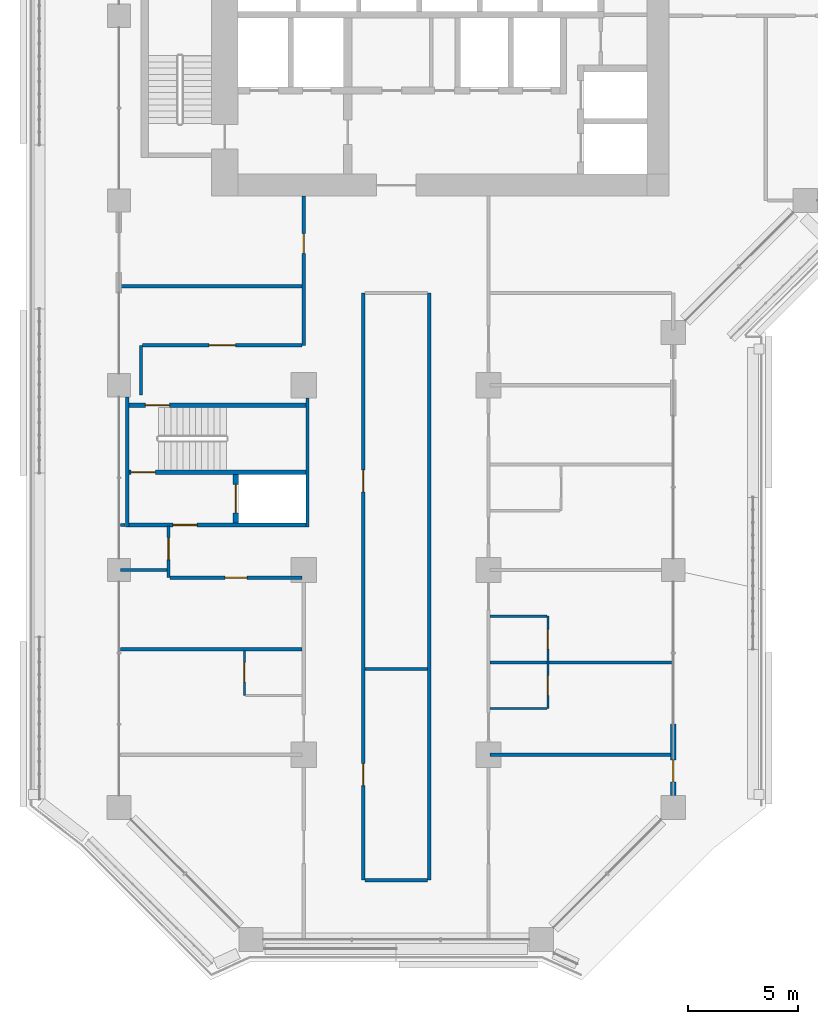
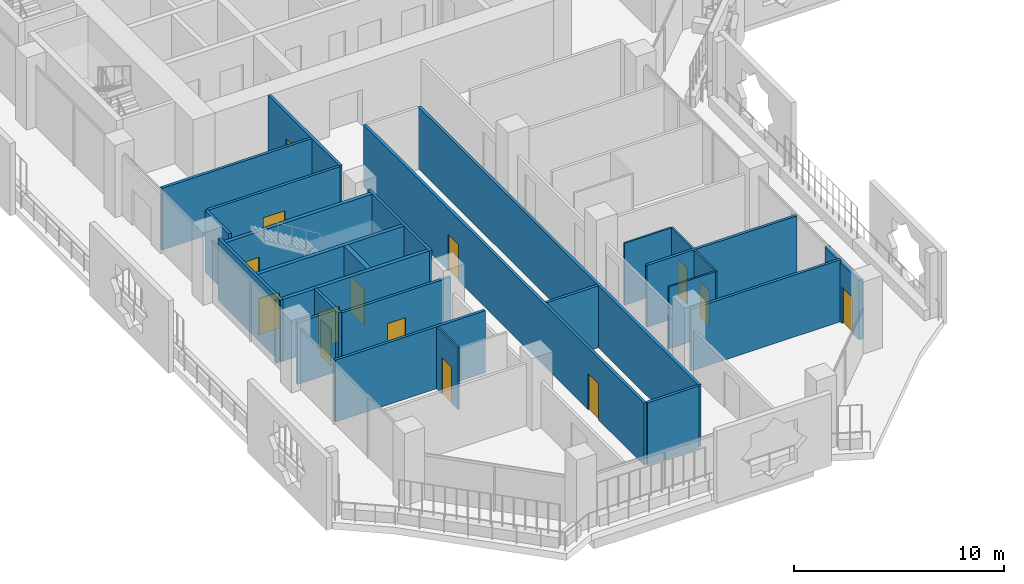
# One storey, part 12 of 25: 26 walls, 14 doors, 14 openings.
"""IFC4 building model written with IfcOpenShell, lengths in metres."""

from ifc_helpers import new_model, si_unit, direction, frame, frame_2d, origin, place, context, subcontext, project, spatial, rectangle, extrude, material, layer, layer_set, type_object, element, fill, save


model = new_model("IFC4")

# Units and contexts
model_context = context("Model", 3, precision=1e-05, world=origin(), true_north=direction((0.0, 1.0)))
body_context = subcontext(model_context, "Body", "Model", "MODEL_VIEW")
ifc_project = project(units=[si_unit("LENGTHUNIT", "METRE"), si_unit("AREAUNIT", "SQUARE_METRE"), si_unit("VOLUMEUNIT", "CUBIC_METRE"), si_unit("PLANEANGLEUNIT", "RADIAN"), si_unit("MASSUNIT", "GRAM", prefix="KILO")], contexts=[model_context])

# Site, building, storey
site_placement = place(None, origin())
site = spatial("IfcSite", under=ifc_project, at=site_placement, CompositionType="ELEMENT")
building_placement = place(site_placement, origin())
building = spatial("IfcBuilding", under=site, at=building_placement, Name="Kawkab Arch Medical Tower", CompositionType="ELEMENT")
storey_placement = place(building_placement, frame((0.0, 0.0, 136.60009765625)))
storey = spatial("IfcBuildingStorey", under=building, at=storey_placement, Name="L31", CompositionType="ELEMENT", Elevation=136.60009765625)

# Wall, opening, door
ifc_material_1 = material(Name="Concrete C60/75", Category="concrete")
ifc_layer_1 = layer(ifc_material_1, 0.25)
ifc_layer_set_1 = layer_set([ifc_layer_1], Name="Concrete C60/75")
wall_type_1 = type_object("IfcWallType", Name="Core shear wall 250 C60/75", PredefinedType="SHEAR", material=ifc_layer_set_1)
wall_1_placement = place(storey_placement, frame((5.300048828125, -39.85009765625, 0.0), z_axis=(0.0, 0.0, 1.0), x_axis=(0.0, 1.0, 0.0)))
wall_1 = element("IfcWall", 1, at=wall_1_placement, inside=storey, type_object=wall_type_1, Name="L31 core shear wall", PredefinedType="SHEAR", context=body_context, shape_type="SweptSolid", body=[
    extrude(rectangle(XDim=2.2001953125, YDim=0.25, at=frame_2d((1.10009765625, 0.0))), origin(), (0.0, 0.0, 1.0), 3.599853515625),
])
opening_1_placement = place(wall_1_placement, frame((0.449951171875, 0.0, 0.0)))
opening_1 = element("IfcOpeningElement", 2, at=opening_1_placement, cuts=wall_1, Name="Opening LD2", PredefinedType="OPENING", context=body_context, shape_type="SweptSolid", body=[
    extrude(rectangle(XDim=1.300048828125, YDim=2.10009765625, at=frame_2d((0.64990234375, 1.050048828125))), frame((0.0, 0.135009765625, 0.0), z_axis=(0.0, -1.0, 0.0), x_axis=(1.0, 0.0, 0.0)), (0.0, 0.0, 1.0), 0.27001953125),
])
ifc_material_2 = material(Name="Stainless steel lift door leaf", Category="steel")
door_type_1 = type_object("IfcDoorType", Name="Lift landing door 1300", OperationType="DOUBLE_DOOR_SLIDING", PredefinedType="DOOR", material=ifc_material_2)
door_1_placement = place(opening_1_placement, origin())
door_1 = element("IfcDoor", 3, at=door_1_placement, inside=storey, type_object=door_type_1, Name="L31 Lift landing door SV2", OperationType="DOUBLE_DOOR_SLIDING", OverallHeight=2.10009765625, OverallWidth=1.300048828125, PredefinedType="DOOR", context=body_context, shape_type="SweptSolid", body=[
    extrude(rectangle(XDim=1.300048828125, YDim=2.10009765625, at=frame_2d((0.64990234375, 1.050048828125))), frame((0.0, 0.02490234375, 0.0), z_axis=(0.0, -1.0, 0.0), x_axis=(1.0, 0.0, 0.0)), (0.0, 0.0, 1.0), 0.050048828125),
])
fill(opening_1, door_1)

ifc_material_3 = material(Name="Bronze clad insulated wall panel")
ifc_layer_2 = layer(ifc_material_3, 0.25)
ifc_layer_set_2 = layer_set([ifc_layer_2], Name="Bronze clad insulated wall panel")
wall_type_2 = type_object("IfcWallType", Name="External wall bay 250", PredefinedType="SOLIDWALL", material=ifc_layer_set_2)
wall_2_placement = place(storey_placement, frame((25.199951171875, -52.25, 0.0), z_axis=(0.0, 0.0, 1.0), x_axis=(0.0, 1.0, 0.0)))
wall_2 = element("IfcWall", 4, at=wall_2_placement, inside=storey, type_object=wall_type_2, Name="External wall bay L31.R05.1.1", PredefinedType="SOLIDWALL", context=body_context, shape_type="SweptSolid", body=[
    extrude(rectangle(XDim=3.24169921875, YDim=0.25, at=frame_2d((1.620849609375, 0.0))), origin(), (0.0, 0.0, 1.0), 3.47998046875),
])
opening_2_placement = place(wall_2_placement, frame((0.620849609375, 0.0, 0.0)))
opening_2 = element("IfcOpeningElement", 5, at=opening_2_placement, cuts=wall_2, Name="Opening W26-702", PredefinedType="OPENING", context=body_context, shape_type="SweptSolid", body=[
    extrude(rectangle(XDim=1.0, YDim=2.10009765625, at=frame_2d((0.5, 1.050048828125))), frame((0.0, 0.135009765625, 0.0), z_axis=(0.0, -1.0, 0.0), x_axis=(1.0, 0.0, 0.0)), (0.0, 0.0, 1.0), 0.27001953125),
])
ifc_material_4 = material(Name="Bronze anodised aluminium door with tinted glass", Category="aluminium")
door_type_2 = type_object("IfcDoorType", Name="Single external door 1000 x 2100", OperationType="SINGLE_SWING_LEFT", PredefinedType="DOOR", material=ifc_material_4)
door_2_placement = place(opening_2_placement, origin())
door_2 = element("IfcDoor", 6, at=door_2_placement, inside=storey, type_object=door_type_2, Name="External door L31.R05.1.1", OperationType="SINGLE_SWING_LEFT", OverallHeight=2.10009765625, OverallWidth=1.0, PredefinedType="DOOR", context=body_context, shape_type="SweptSolid", body=[
    extrude(rectangle(XDim=1.0, YDim=2.10009765625, at=frame_2d((0.5, 1.050048828125))), frame((0.0, 0.02490234375, 0.0), z_axis=(0.0, -1.0, 0.0), x_axis=(1.0, 0.0, 0.0)), (0.0, 0.0, 1.0), 0.050048828125),
])
fill(opening_2, door_2)

# Walls
ifc_material_5 = material(Name="Gypsum board partition on steel studs", Category="steel")
ifc_layer_3 = layer(ifc_material_5, 0.10009765625)
ifc_layer_set_3 = layer_set([ifc_layer_3], Name="Gypsum board partition on steel studs")
wall_type_3 = type_object("IfcWallType", Name="Partition 100", PredefinedType="PARTITIONING", material=ifc_layer_set_3)
for number, where, z_axis, x_axis, name in (
    (7, (16.875, -48.300048828125, 0.0), (0.0, 0.0, 1.0), (1.0, 0.0, 0.0), "Partition 100 w001"),
    (8, (16.875, -44.10009765625, 0.0), (0.0, 0.0, 1.0), (1.0, 0.0, 0.0), "Partition 100 w003"),
):
    element("IfcWall", number, at=place(storey_placement, frame(where, z_axis=z_axis, x_axis=x_axis)), inside=storey, type_object=wall_type_3, Name=name, PredefinedType="PARTITIONING", context=body_context, shape_type="SweptSolid", body=[
        extrude(rectangle(XDim=2.574951171875, YDim=0.10009765625, at=frame_2d((1.28759765625, 0.0))), origin(), (0.0, 0.0, 1.0), 3.599853515625),
    ])

# Wall, opening, door
wall_3_placement = place(storey_placement, frame((5.699951171875, -47.699951171875, 0.0), z_axis=(0.0, 0.0, 1.0), x_axis=(0.0, 1.0, 0.0)))
wall_3 = element("IfcWall", 9, at=wall_3_placement, inside=storey, type_object=wall_type_3, Name="Partition 100 w013", PredefinedType="PARTITIONING", context=body_context, shape_type="SweptSolid", body=[
    extrude(rectangle(XDim=2.02490234375, YDim=0.10009765625, at=frame_2d((1.012451171875, 0.0))), origin(), (0.0, 0.0, 1.0), 3.599853515625),
])
opening_3_placement = place(wall_3_placement, frame((0.60009765625, 0.0, 0.0)))
opening_3 = element("IfcOpeningElement", 10, at=opening_3_placement, cuts=wall_3, Name="Opening W26-021", PredefinedType="OPENING", context=body_context, shape_type="SweptSolid", body=[
    extrude(rectangle(XDim=0.89990234375, YDim=2.10009765625, at=frame_2d((0.449951171875, 1.050048828125))), frame((0.0, 0.06005859375, 0.0), z_axis=(0.0, -1.0, 0.0), x_axis=(1.0, 0.0, 0.0)), (0.0, 0.0, 1.0), 0.1201171875),
])
ifc_material_6 = material(Name="Timber door leaf", Category="wood")
door_type_3 = type_object("IfcDoorType", Name="Single door 900x2100", OperationType="NOTDEFINED", PredefinedType="DOOR", material=ifc_material_6)
door_3_placement = place(opening_3_placement, origin())
door_3 = element("IfcDoor", 11, at=door_3_placement, inside=storey, type_object=door_type_3, Name="Door W26-021", OperationType="SINGLE_SWING_RIGHT", OverallHeight=2.10009765625, OverallWidth=0.89990234375, PredefinedType="DOOR", context=body_context, shape_type="SweptSolid", body=[
    extrude(rectangle(XDim=0.89990234375, YDim=2.10009765625, at=frame_2d((0.449951171875, 1.050048828125))), frame((0.0, 0.02490234375, 0.0), z_axis=(0.0, -1.0, 0.0), x_axis=(1.0, 0.0, 0.0)), (0.0, 0.0, 1.0), 0.050048828125),
])
fill(opening_3, door_3)

# Wall, openings, doors
wall_4_placement = place(storey_placement, frame((19.5, -48.300048828125, 0.0), z_axis=(0.0, 0.0, 1.0), x_axis=(0.0, 1.0, 0.0)))
wall_4 = element("IfcWall", 12, at=wall_4_placement, inside=storey, type_object=wall_type_3, Name="Partition 100 w014", PredefinedType="PARTITIONING", context=body_context, shape_type="SweptSolid", body=[
    extrude(rectangle(XDim=4.199951171875, YDim=0.10009765625, at=frame_2d((2.10009765625, 0.0))), origin(), (0.0, 0.0, 1.0), 3.599853515625),
])
opening_4_placement = place(wall_4_placement, frame((2.699951171875, 0.0, 0.0)))
opening_4 = element("IfcOpeningElement", 13, at=opening_4_placement, cuts=wall_4, Name="Opening W26-023", PredefinedType="OPENING", context=body_context, shape_type="SweptSolid", body=[
    extrude(rectangle(XDim=0.89990234375, YDim=2.10009765625, at=frame_2d((0.449951171875, 1.050048828125))), frame((0.0, 0.06005859375, 0.0), z_axis=(0.0, -1.0, 0.0), x_axis=(1.0, 0.0, 0.0)), (0.0, 0.0, 1.0), 0.1201171875),
])
opening_5_placement = place(wall_4_placement, frame((0.60009765625, 0.0, 0.0)))
opening_5 = element("IfcOpeningElement", 14, at=opening_5_placement, cuts=wall_4, Name="Opening W26-024", PredefinedType="OPENING", context=body_context, shape_type="SweptSolid", body=[
    extrude(rectangle(XDim=0.89990234375, YDim=2.10009765625, at=frame_2d((0.449951171875, 1.050048828125))), frame((0.0, 0.06005859375, 0.0), z_axis=(0.0, -1.0, 0.0), x_axis=(1.0, 0.0, 0.0)), (0.0, 0.0, 1.0), 0.1201171875),
])
door_4_placement = place(opening_4_placement, origin())
door_4 = element("IfcDoor", 15, at=door_4_placement, inside=storey, type_object=door_type_3, Name="Door W26-023", OperationType="SINGLE_SWING_LEFT", OverallHeight=2.10009765625, OverallWidth=0.89990234375, PredefinedType="DOOR", context=body_context, shape_type="SweptSolid", body=[
    extrude(rectangle(XDim=0.89990234375, YDim=2.10009765625, at=frame_2d((0.449951171875, 1.050048828125))), frame((0.0, 0.02490234375, 0.0), z_axis=(0.0, -1.0, 0.0), x_axis=(1.0, 0.0, 0.0)), (0.0, 0.0, 1.0), 0.050048828125),
])
fill(opening_4, door_4)
door_5_placement = place(opening_5_placement, origin())
door_5 = element("IfcDoor", 16, at=door_5_placement, inside=storey, type_object=door_type_3, Name="Door W26-024", OperationType="SINGLE_SWING_RIGHT", OverallHeight=2.10009765625, OverallWidth=0.89990234375, PredefinedType="DOOR", context=body_context, shape_type="SweptSolid", body=[
    extrude(rectangle(XDim=0.89990234375, YDim=2.10009765625, at=frame_2d((0.449951171875, 1.050048828125))), frame((0.0, 0.02490234375, 0.0), z_axis=(0.0, -1.0, 0.0), x_axis=(1.0, 0.0, 0.0)), (0.0, 0.0, 1.0), 0.050048828125),
])
fill(opening_5, door_5)

# Walls
ifc_material_7 = material(Name="Gypsum board partition on steel studs, mineral wool", Category="steel")
ifc_layer_4 = layer(ifc_material_7, 0.14990234375)
ifc_layer_set_4 = layer_set([ifc_layer_4], Name="Gypsum board partition on steel studs, mineral wool")
wall_type_4 = type_object("IfcWallType", Name="Partition 150", PredefinedType="PARTITIONING", material=ifc_layer_set_4)
wall_5_placement = place(storey_placement, frame((11.175048828125, -56.10009765625, 0.0), z_axis=(0.0, 0.0, 1.0), x_axis=(1.0, 0.0, 0.0)))
element("IfcWall", 17, at=wall_5_placement, inside=storey, type_object=wall_type_4, Name="Partition 150 w027", PredefinedType="PARTITIONING", context=body_context, shape_type="SweptSolid", body=[
    extrude(rectangle(XDim=2.849853515625, YDim=0.14990234375, at=frame_2d((1.4248046875, 0.0))), origin(), (0.0, 0.0, 1.0), 3.599853515625),
])
wall_6_placement = place(storey_placement, frame((16.875, -50.39990234375, 0.0), z_axis=(0.0, 0.0, 1.0), x_axis=(1.0, 0.0, 0.0)))
element("IfcWall", 18, at=wall_6_placement, inside=storey, type_object=wall_type_4, Name="Partition 150 w029", PredefinedType="PARTITIONING", context=body_context, shape_type="SweptSolid", body=[
    extrude(rectangle(XDim=8.2451171875, YDim=0.14990234375, at=frame_2d((4.12255859375, 0.0))), origin(), (0.0, 0.0, 1.0), 3.599853515625),
])
wall_7_placement = place(storey_placement, frame((11.175048828125, -46.5, 0.0), z_axis=(0.0, 0.0, 1.0), x_axis=(1.0, 0.0, 0.0)))
element("IfcWall", 19, at=wall_7_placement, inside=storey, type_object=wall_type_4, Name="Partition 150 w030", PredefinedType="PARTITIONING", context=body_context, shape_type="SweptSolid", body=[
    extrude(rectangle(XDim=2.849853515625, YDim=0.14990234375, at=frame_2d((1.4248046875, 0.0))), origin(), (0.0, 0.0, 1.0), 3.599853515625),
])
wall_8_placement = place(storey_placement, frame((16.875, -46.199951171875, 0.0), z_axis=(0.0, 0.0, 1.0), x_axis=(1.0, 0.0, 0.0)))
element("IfcWall", 20, at=wall_8_placement, inside=storey, type_object=wall_type_4, Name="Partition 150 w031", PredefinedType="PARTITIONING", context=body_context, shape_type="SweptSolid", body=[
    extrude(rectangle(XDim=8.2451171875, YDim=0.14990234375, at=frame_2d((4.12255859375, 0.0))), origin(), (0.0, 0.0, 1.0), 3.599853515625),
])
wall_9_placement = place(storey_placement, frame((0.080078125, -45.60009765625, 0.0), z_axis=(0.0, 0.0, 1.0), x_axis=(1.0, 0.0, 0.0)))
element("IfcWall", 21, at=wall_9_placement, inside=storey, type_object=wall_type_4, Name="Partition 150 w032", PredefinedType="PARTITIONING", context=body_context, shape_type="SweptSolid", body=[
    extrude(rectangle(XDim=8.244873046875, YDim=0.14990234375, at=frame_2d((4.12255859375, 0.0))), origin(), (0.0, 0.0, 1.0), 3.599853515625),
])

# Wall, opening, door
wall_10_placement = place(storey_placement, frame((2.326904296875, -42.35009765625, 0.0), z_axis=(0.0, 0.0, 1.0), x_axis=(1.0, 0.0, 0.0)))
wall_10 = element("IfcWall", 22, at=wall_10_placement, inside=storey, type_object=wall_type_4, Name="Partition 150 w033", PredefinedType="PARTITIONING", context=body_context, shape_type="SweptSolid", body=[
    extrude(rectangle(XDim=5.998046875, YDim=0.14990234375, at=frame_2d((2.9990234375, 0.0))), origin(), (0.0, 0.0, 1.0), 3.599853515625),
])
opening_6_placement = place(wall_10_placement, frame((2.4990234375, 0.0, 0.0)))
opening_6 = element("IfcOpeningElement", 23, at=opening_6_placement, cuts=wall_10, Name="Opening W26-032", PredefinedType="OPENING", context=body_context, shape_type="SweptSolid", body=[
    extrude(rectangle(XDim=1.0, YDim=2.10009765625, at=frame_2d((0.5, 1.050048828125))), frame((0.0, 0.0849609375, 0.0), z_axis=(0.0, -1.0, 0.0), x_axis=(1.0, 0.0, 0.0)), (0.0, 0.0, 1.0), 0.169921875),
])
ifc_material_8 = material(Name="Hollow metal door leaf")
door_type_4 = type_object("IfcDoorType", Name="Single door 1000x2100 FD30S", OperationType="NOTDEFINED", PredefinedType="DOOR", material=ifc_material_8)
door_6_placement = place(opening_6_placement, origin())
door_6 = element("IfcDoor", 24, at=door_6_placement, inside=storey, type_object=door_type_4, Name="Door W26-032", OperationType="SINGLE_SWING_LEFT", OverallHeight=2.10009765625, OverallWidth=1.0, PredefinedType="DOOR", context=body_context, shape_type="SweptSolid", body=[
    extrude(rectangle(XDim=1.0, YDim=2.10009765625, at=frame_2d((0.5, 1.050048828125))), frame((0.0, 0.02490234375, 0.0), z_axis=(0.0, -1.0, 0.0), x_axis=(1.0, 0.0, 0.0)), (0.0, 0.0, 1.0), 0.050048828125),
])
fill(opening_6, door_6)

# Walls
wall_11_placement = place(storey_placement, frame((0.080078125, -42.0, 0.0), z_axis=(0.0, 0.0, 1.0), x_axis=(1.0, 0.0, 0.0)))
element("IfcWall", 25, at=wall_11_placement, inside=storey, type_object=wall_type_4, Name="Partition 150 w034", PredefinedType="PARTITIONING", context=body_context, shape_type="SweptSolid", body=[
    extrude(rectangle(XDim=2.094970703125, YDim=0.14990234375, at=frame_2d((1.04736328125, 0.0))), origin(), (0.0, 0.0, 1.0), 3.599853515625),
])
wall_12_placement = place(storey_placement, frame((0.080078125, -39.949951171875, 0.0), z_axis=(0.0, 0.0, 1.0), x_axis=(1.0, 0.0, 0.0)))
element("IfcWall", 26, at=wall_12_placement, inside=storey, type_object=wall_type_4, Name="Partition 150 w036", PredefinedType="PARTITIONING", context=body_context, shape_type="SweptSolid", body=[
    extrude(rectangle(XDim=0.18994140625, YDim=0.14990234375, at=frame_2d((0.094970703125, 0.0))), origin(), (0.0, 0.0, 1.0), 3.599853515625),
])

# Wall, opening, door
wall_13_placement = place(storey_placement, frame((1.076904296875, -31.781982421875, 0.0), z_axis=(0.0, 0.0, 1.0), x_axis=(1.0, 0.0, 0.0)))
wall_13 = element("IfcWall", 27, at=wall_13_placement, inside=storey, type_object=wall_type_4, Name="Partition 150 w039", PredefinedType="PARTITIONING", context=body_context, shape_type="SweptSolid", body=[
    extrude(rectangle(XDim=7.248046875, YDim=0.14990234375, at=frame_2d((3.6240234375, 0.0))), origin(), (0.0, 0.0, 1.0), 3.599853515625),
])
opening_7_placement = place(wall_13_placement, frame((3.02392578125, 0.0, 0.0)))
opening_7 = element("IfcOpeningElement", 28, at=opening_7_placement, cuts=wall_13, Name="Opening W26-052", PredefinedType="OPENING", context=body_context, shape_type="SweptSolid", body=[
    extrude(rectangle(XDim=1.199951171875, YDim=2.10009765625, at=frame_2d((0.60009765625, 1.050048828125))), frame((0.0, 0.0849609375, 0.0), z_axis=(0.0, -1.0, 0.0), x_axis=(1.0, 0.0, 0.0)), (0.0, 0.0, 1.0), 0.169921875),
])
ifc_material_9 = material(Name="Hollow metal door leaf")
door_type_5 = type_object("IfcDoorType", Name="Single door 1200x2100 FD30S", OperationType="NOTDEFINED", PredefinedType="DOOR", material=ifc_material_9)
door_7_placement = place(opening_7_placement, origin())
door_7 = element("IfcDoor", 29, at=door_7_placement, inside=storey, type_object=door_type_5, Name="Door W26-052", OperationType="SINGLE_SWING_RIGHT", OverallHeight=2.10009765625, OverallWidth=1.199951171875, PredefinedType="DOOR", context=body_context, shape_type="SweptSolid", body=[
    extrude(rectangle(XDim=1.199951171875, YDim=2.10009765625, at=frame_2d((0.60009765625, 1.050048828125))), frame((0.0, 0.02490234375, 0.0), z_axis=(0.0, -1.0, 0.0), x_axis=(1.0, 0.0, 0.0)), (0.0, 0.0, 1.0), 0.050048828125),
])
fill(opening_7, door_7)

# Walls
wall_14_placement = place(storey_placement, frame((0.080078125, -29.10009765625, 0.0), z_axis=(0.0, 0.0, 1.0), x_axis=(1.0, 0.0, 0.0)))
element("IfcWall", 30, at=wall_14_placement, inside=storey, type_object=wall_type_4, Name="Partition 150 w042", PredefinedType="PARTITIONING", context=body_context, shape_type="SweptSolid", body=[
    extrude(rectangle(XDim=8.244873046875, YDim=0.14990234375, at=frame_2d((4.12255859375, 0.0))), origin(), (0.0, 0.0, 1.0), 3.599853515625),
])
wall_15_placement = place(storey_placement, frame((1.0, -34.048095703125, 0.0), z_axis=(0.0, 0.0, 1.0), x_axis=(0.0, 1.0, 0.0)))
element("IfcWall", 31, at=wall_15_placement, inside=storey, type_object=wall_type_4, Name="Partition 150 w056", PredefinedType="PARTITIONING", context=body_context, shape_type="SweptSolid", body=[
    extrude(rectangle(XDim=2.26513671875, YDim=0.14990234375, at=frame_2d((1.132568359375, 0.0))), origin(), (0.0, 0.0, 1.0), 3.599853515625),
])

# Wall, opening, door
wall_16_placement = place(storey_placement, frame((2.25, -42.347900390625, 0.0), z_axis=(0.0, 0.0, 1.0), x_axis=(0.0, 1.0, 0.0)))
wall_16 = element("IfcWall", 32, at=wall_16_placement, inside=storey, type_object=wall_type_4, Name="Partition 150 w057", PredefinedType="PARTITIONING", context=body_context, shape_type="SweptSolid", body=[
    extrude(rectangle(XDim=2.347900390625, YDim=0.14990234375, at=frame_2d((1.173828125, 0.0))), origin(), (0.0, 0.0, 1.0), 3.599853515625),
])
opening_8_placement = place(wall_16_placement, frame((0.822998046875, 0.0, 0.0)))
opening_8 = element("IfcOpeningElement", 33, at=opening_8_placement, cuts=wall_16, Name="Opening W26-031", PredefinedType="OPENING", context=body_context, shape_type="SweptSolid", body=[
    extrude(rectangle(XDim=1.0, YDim=2.10009765625, at=frame_2d((0.5, 1.050048828125))), frame((0.0, 0.0849609375, 0.0), z_axis=(0.0, -1.0, 0.0), x_axis=(1.0, 0.0, 0.0)), (0.0, 0.0, 1.0), 0.169921875),
])
door_8_placement = place(opening_8_placement, origin())
door_8 = element("IfcDoor", 34, at=door_8_placement, inside=storey, type_object=door_type_4, Name="Door W26-031", OperationType="SINGLE_SWING_LEFT", OverallHeight=2.10009765625, OverallWidth=1.0, PredefinedType="DOOR", context=body_context, shape_type="SweptSolid", body=[
    extrude(rectangle(XDim=1.0, YDim=2.10009765625, at=frame_2d((0.5, 1.050048828125))), frame((0.0, 0.02490234375, 0.0), z_axis=(0.0, -1.0, 0.0), x_axis=(1.0, 0.0, 0.0)), (0.0, 0.0, 1.0), 0.050048828125),
])
fill(opening_8, door_8)

wall_17_placement = place(storey_placement, frame((8.39990234375, -31.781982421875, 0.0), z_axis=(0.0, 0.0, 1.0), x_axis=(0.0, 1.0, 0.0)))
wall_17 = element("IfcWall", 35, at=wall_17_placement, inside=storey, type_object=wall_type_4, Name="Partition 150 w059", PredefinedType="PARTITIONING", context=body_context, shape_type="SweptSolid", body=[
    extrude(rectangle(XDim=6.781982421875, YDim=0.14990234375, at=frame_2d((3.39111328125, 0.0))), origin(), (0.0, 0.0, 1.0), 3.599853515625),
])
opening_9_placement = place(wall_17_placement, frame((4.181884765625, 0.0, 0.0)))
opening_9 = element("IfcOpeningElement", 36, at=opening_9_placement, cuts=wall_17, Name="Opening W26-020", PredefinedType="OPENING", context=body_context, shape_type="SweptSolid", body=[
    extrude(rectangle(XDim=0.89990234375, YDim=2.10009765625, at=frame_2d((0.449951171875, 1.050048828125))), frame((0.0, 0.0849609375, 0.0), z_axis=(0.0, -1.0, 0.0), x_axis=(1.0, 0.0, 0.0)), (0.0, 0.0, 1.0), 0.169921875),
])
door_9_placement = place(opening_9_placement, origin())
door_9 = element("IfcDoor", 37, at=door_9_placement, inside=storey, type_object=door_type_3, Name="Door W26-020", OperationType="SINGLE_SWING_RIGHT", OverallHeight=2.10009765625, OverallWidth=0.89990234375, PredefinedType="DOOR", context=body_context, shape_type="SweptSolid", body=[
    extrude(rectangle(XDim=0.89990234375, YDim=2.10009765625, at=frame_2d((0.449951171875, 1.050048828125))), frame((0.0, 0.02490234375, 0.0), z_axis=(0.0, -1.0, 0.0), x_axis=(1.0, 0.0, 0.0)), (0.0, 0.0, 1.0), 0.050048828125),
])
fill(opening_9, door_9)

# Wall, openings, doors
wall_18_placement = place(storey_placement, frame((11.10009765625, -56.10009765625, 0.0), z_axis=(0.0, 0.0, 1.0), x_axis=(0.0, 1.0, 0.0)))
wall_18 = element("IfcWall", 38, at=wall_18_placement, inside=storey, type_object=wall_type_4, Name="Partition 150 w060", PredefinedType="PARTITIONING", context=body_context, shape_type="SweptSolid", body=[
    extrude(rectangle(XDim=26.7001953125, YDim=0.14990234375, at=frame_2d((13.35009765625, 0.0))), origin(), (0.0, 0.0, 1.0), 3.599853515625),
])
opening_10_placement = place(wall_18_placement, frame((17.64990234375, 0.0, 0.0)))
opening_10 = element("IfcOpeningElement", 39, at=opening_10_placement, cuts=wall_18, Name="Opening W26-033", PredefinedType="OPENING", context=body_context, shape_type="SweptSolid", body=[
    extrude(rectangle(XDim=1.0, YDim=2.10009765625, at=frame_2d((0.5, 1.050048828125))), frame((0.0, 0.0849609375, 0.0), z_axis=(0.0, -1.0, 0.0), x_axis=(1.0, 0.0, 0.0)), (0.0, 0.0, 1.0), 0.169921875),
])
opening_11_placement = place(wall_18_placement, frame((4.300048828125, 0.0, 0.0)))
opening_11 = element("IfcOpeningElement", 40, at=opening_11_placement, cuts=wall_18, Name="Opening W26-034", PredefinedType="OPENING", context=body_context, shape_type="SweptSolid", body=[
    extrude(rectangle(XDim=1.0, YDim=2.10009765625, at=frame_2d((0.5, 1.050048828125))), frame((0.0, 0.0849609375, 0.0), z_axis=(0.0, -1.0, 0.0), x_axis=(1.0, 0.0, 0.0)), (0.0, 0.0, 1.0), 0.169921875),
])
door_10_placement = place(opening_10_placement, origin())
door_10 = element("IfcDoor", 41, at=door_10_placement, inside=storey, type_object=door_type_4, Name="Door W26-033", OperationType="SINGLE_SWING_LEFT", OverallHeight=2.10009765625, OverallWidth=1.0, PredefinedType="DOOR", context=body_context, shape_type="SweptSolid", body=[
    extrude(rectangle(XDim=1.0, YDim=2.10009765625, at=frame_2d((0.5, 1.050048828125))), frame((0.0, 0.02490234375, 0.0), z_axis=(0.0, -1.0, 0.0), x_axis=(1.0, 0.0, 0.0)), (0.0, 0.0, 1.0), 0.050048828125),
])
fill(opening_10, door_10)
door_11_placement = place(opening_11_placement, origin())
door_11 = element("IfcDoor", 42, at=door_11_placement, inside=storey, type_object=door_type_4, Name="Door W26-034", OperationType="SINGLE_SWING_RIGHT", OverallHeight=2.10009765625, OverallWidth=1.0, PredefinedType="DOOR", context=body_context, shape_type="SweptSolid", body=[
    extrude(rectangle(XDim=1.0, YDim=2.10009765625, at=frame_2d((0.5, 1.050048828125))), frame((0.0, 0.02490234375, 0.0), z_axis=(0.0, -1.0, 0.0), x_axis=(1.0, 0.0, 0.0)), (0.0, 0.0, 1.0), 0.050048828125),
])
fill(opening_11, door_11)

# Walls
wall_19_placement = place(storey_placement, frame((14.10009765625, -56.10009765625, 0.0), z_axis=(0.0, 0.0, 1.0), x_axis=(0.0, 1.0, 0.0)))
element("IfcWall", 43, at=wall_19_placement, inside=storey, type_object=wall_type_4, Name="Partition 150 w061", PredefinedType="PARTITIONING", context=body_context, shape_type="SweptSolid", body=[
    extrude(rectangle(XDim=26.7001953125, YDim=0.14990234375, at=frame_2d((13.35009765625, 0.0))), origin(), (0.0, 0.0, 1.0), 3.599853515625),
])
ifc_material_10 = material(Name="Concrete C50/60", Category="concrete")
ifc_layer_5 = layer(ifc_material_10, 0.14990234375)
ifc_layer_set_5 = layer_set([ifc_layer_5], Name="Concrete C50/60")
wall_type_5 = type_object("IfcWallType", Name="Stair enclosure wall 150 C50/60", PredefinedType="SHEAR", material=ifc_layer_set_5)
wall_20_placement = place(storey_placement, frame((0.375, -40.050048828125, 0.0), z_axis=(0.0, 0.0, 1.0), x_axis=(0.0, 1.0, 0.0)))
element("IfcWall", 44, at=wall_20_placement, inside=storey, type_object=wall_type_5, Name="L31 stair enclosure wall", PredefinedType="SHEAR", context=body_context, shape_type="SweptSolid", body=[
    extrude(rectangle(XDim=5.925048828125, YDim=0.14990234375, at=frame_2d((2.96240234375, 0.0))), origin(), (0.0, 0.0, 1.0), 3.599853515625),
])
wall_21_placement = place(storey_placement, frame((8.574951171875, -40.050048828125, 0.0), z_axis=(0.0, 0.0, 1.0), x_axis=(0.0, 1.0, 0.0)))
element("IfcWall", 45, at=wall_21_placement, inside=storey, type_object=wall_type_5, Name="L31 stair enclosure wall", PredefinedType="SHEAR", context=body_context, shape_type="SweptSolid", body=[
    extrude(rectangle(XDim=5.875, YDim=0.14990234375, at=frame_2d((2.9375, 0.0))), origin(), (0.0, 0.0, 1.0), 3.599853515625),
])

# Wall, opening, door
ifc_material_11 = material(Name="Concrete C50/60", Category="concrete")
ifc_layer_6 = layer(ifc_material_11, 0.199951171875)
ifc_layer_set_6 = layer_set([ifc_layer_6], Name="Concrete C50/60")
wall_type_6 = type_object("IfcWallType", Name="Stair enclosure wall 200 C50/60", PredefinedType="SHEAR", material=ifc_layer_set_6)
wall_22_placement = place(storey_placement, frame((0.449951171875, -34.5, 0.0), z_axis=(0.0, 0.0, 1.0), x_axis=(1.0, 0.0, 0.0)))
wall_22 = element("IfcWall", 46, at=wall_22_placement, inside=storey, type_object=wall_type_6, Name="L31 stair enclosure wall", PredefinedType="SHEAR", context=body_context, shape_type="SweptSolid", body=[
    extrude(rectangle(XDim=8.050048828125, YDim=0.199951171875, at=frame_2d((4.02490234375, 0.0))), origin(), (0.0, 0.0, 1.0), 3.599853515625),
])
opening_12_placement = place(wall_22_placement, frame((0.75, 0.0, 0.0)))
opening_12 = element("IfcOpeningElement", 47, at=opening_12_placement, cuts=wall_22, Name="Opening SD", PredefinedType="OPENING", context=body_context, shape_type="SweptSolid", body=[
    extrude(rectangle(XDim=1.10009765625, YDim=2.10009765625, at=frame_2d((0.550048828125, 1.050048828125))), frame((0.0, 0.10986328125, 0.0), z_axis=(0.0, -1.0, 0.0), x_axis=(1.0, 0.0, 0.0)), (0.0, 0.0, 1.0), 0.219970703125),
])
ifc_material_12 = material(Name="Hollow metal fire door leaf")
door_type_6 = type_object("IfcDoorType", Name="Exit stair door 1100", OperationType="SINGLE_SWING_LEFT", PredefinedType="DOOR", material=ifc_material_12)
door_12_placement = place(opening_12_placement, origin())
door_12 = element("IfcDoor", 48, at=door_12_placement, inside=storey, type_object=door_type_6, Name="L31 Exit stair ST6 door", OperationType="SINGLE_SWING_LEFT", OverallHeight=2.10009765625, OverallWidth=1.10009765625, PredefinedType="DOOR", context=body_context, shape_type="SweptSolid", body=[
    extrude(rectangle(XDim=1.10009765625, YDim=2.10009765625, at=frame_2d((0.550048828125, 1.050048828125))), frame((0.0, 0.02490234375, 0.0), z_axis=(0.0, -1.0, 0.0), x_axis=(1.0, 0.0, 0.0)), (0.0, 0.0, 1.0), 0.050048828125),
])
fill(opening_12, door_12)

wall_23_placement = place(storey_placement, frame((0.449951171875, -37.550048828125, 0.0), z_axis=(0.0, 0.0, 1.0), x_axis=(1.0, 0.0, 0.0)))
wall_23 = element("IfcWall", 49, at=wall_23_placement, inside=storey, type_object=wall_type_6, Name="L31 stair enclosure wall", PredefinedType="SHEAR", context=body_context, shape_type="SweptSolid", body=[
    extrude(rectangle(XDim=8.050048828125, YDim=0.199951171875, at=frame_2d((4.02490234375, 0.0))), origin(), (0.0, 0.0, 1.0), 3.599853515625),
])
opening_13_placement = place(wall_23_placement, frame((0.10009765625, 0.0, 0.0)))
opening_13 = element("IfcOpeningElement", 50, at=opening_13_placement, cuts=wall_23, Name="Opening SD", PredefinedType="OPENING", context=body_context, shape_type="SweptSolid", body=[
    extrude(rectangle(XDim=1.10009765625, YDim=2.10009765625, at=frame_2d((0.550048828125, 1.050048828125))), frame((0.0, 0.10986328125, 0.0), z_axis=(0.0, -1.0, 0.0), x_axis=(1.0, 0.0, 0.0)), (0.0, 0.0, 1.0), 0.219970703125),
])
door_13_placement = place(opening_13_placement, frame((1.10009765625, 0.0, 0.0), z_axis=(0.0, 0.0, 1.0), x_axis=(-1.0, 0.0, 0.0)))
door_13 = element("IfcDoor", 51, at=door_13_placement, inside=storey, type_object=door_type_6, Name="L31 Exit stair ST6 lobby door", OperationType="SINGLE_SWING_LEFT", OverallHeight=2.10009765625, OverallWidth=1.10009765625, PredefinedType="DOOR", context=body_context, shape_type="SweptSolid", body=[
    extrude(rectangle(XDim=1.10009765625, YDim=2.10009765625, at=frame_2d((0.550048828125, 1.050048828125))), frame((0.0, 0.02490234375, 0.0), z_axis=(0.0, -1.0, 0.0), x_axis=(1.0, 0.0, 0.0)), (0.0, 0.0, 1.0), 0.050048828125),
])
fill(opening_13, door_13)

wall_24_placement = place(storey_placement, frame((0.449951171875, -39.949951171875, 0.0), z_axis=(0.0, 0.0, 1.0), x_axis=(1.0, 0.0, 0.0)))
wall_24 = element("IfcWall", 52, at=wall_24_placement, inside=storey, type_object=wall_type_6, Name="L31 stair enclosure wall", PredefinedType="SHEAR", context=body_context, shape_type="SweptSolid", body=[
    extrude(rectangle(XDim=8.050048828125, YDim=0.199951171875, at=frame_2d((4.02490234375, 0.0))), origin(), (0.0, 0.0, 1.0), 3.599853515625),
])
opening_14_placement = place(wall_24_placement, frame((2.0, 0.0, 0.0)))
opening_14 = element("IfcOpeningElement", 53, at=opening_14_placement, cuts=wall_24, Name="Opening FD", PredefinedType="OPENING", context=body_context, shape_type="SweptSolid", body=[
    extrude(rectangle(XDim=1.10009765625, YDim=2.10009765625, at=frame_2d((0.550048828125, 1.050048828125))), frame((0.0, 0.10986328125, 0.0), z_axis=(0.0, -1.0, 0.0), x_axis=(1.0, 0.0, 0.0)), (0.0, 0.0, 1.0), 0.219970703125),
])
ifc_material_13 = material(Name="Hollow metal fire door leaf")
door_type_7 = type_object("IfcDoorType", Name="Firefighting lobby door 1100", OperationType="SINGLE_SWING_LEFT", PredefinedType="DOOR", material=ifc_material_13)
door_14_placement = place(opening_14_placement, origin())
door_14 = element("IfcDoor", 54, at=door_14_placement, inside=storey, type_object=door_type_7, Name="L31 Service lift lobby door SV2", OperationType="SINGLE_SWING_LEFT", OverallHeight=2.10009765625, OverallWidth=1.10009765625, PredefinedType="DOOR", context=body_context, shape_type="SweptSolid", body=[
    extrude(rectangle(XDim=1.10009765625, YDim=2.10009765625, at=frame_2d((0.550048828125, 1.050048828125))), frame((0.0, 0.02490234375, 0.0), z_axis=(0.0, -1.0, 0.0), x_axis=(1.0, 0.0, 0.0)), (0.0, 0.0, 1.0), 0.050048828125),
])
fill(opening_14, door_14)

save(model, "model.ifc")
